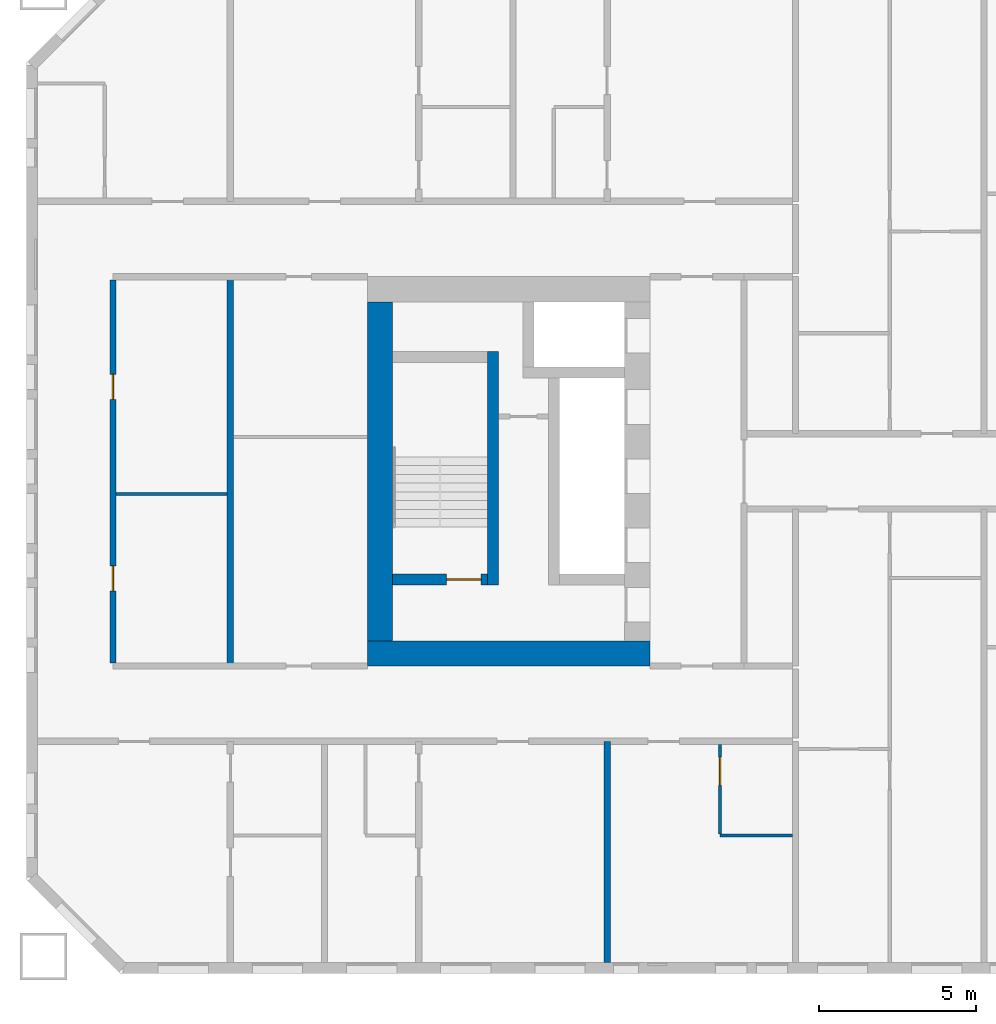
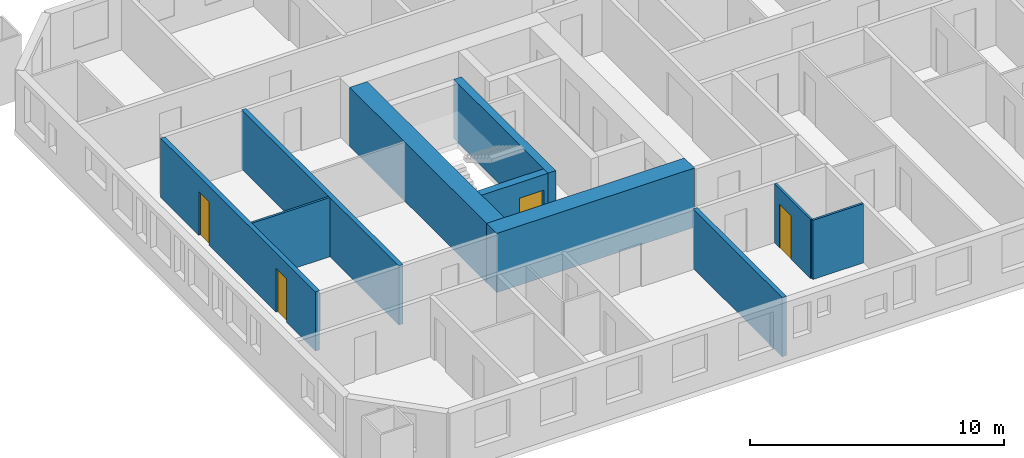
# One storey, part 3 of 19: 10 walls, 4 doors, 4 openings.
"""IFC4 building model written with IfcOpenShell, lengths in metres."""

from ifc_helpers import new_model, si_unit, direction, frame, frame_2d, origin, place, context, subcontext, project, spatial, rectangle, extrude, material, layer, layer_set, type_object, element, fill, save


model = new_model("IFC4")

# Units and contexts
model_context = context("Model", 3, precision=1e-05, world=origin(), true_north=direction((0.0, 1.0)))
body_context = subcontext(model_context, "Body", "Model", "MODEL_VIEW")
ifc_project = project(units=[si_unit("LENGTHUNIT", "METRE"), si_unit("AREAUNIT", "SQUARE_METRE"), si_unit("VOLUMEUNIT", "CUBIC_METRE"), si_unit("PLANEANGLEUNIT", "RADIAN"), si_unit("MASSUNIT", "GRAM", prefix="KILO")], contexts=[model_context])

# Site, building, storey
site_placement = place(None, origin())
site = spatial("IfcSite", under=ifc_project, at=site_placement, CompositionType="ELEMENT")
building_placement = place(site_placement, origin())
building = spatial("IfcBuilding", under=site, at=building_placement, Name="Tuart Gate Housing", CompositionType="ELEMENT")
storey_placement = place(building_placement, frame((0.0, 0.0, 56.699951171875)))
storey = spatial("IfcBuildingStorey", under=building, at=storey_placement, Name="L15", CompositionType="ELEMENT", Elevation=56.699951171875)

# Wall, opening, door
ifc_material_1 = material(Name="Concrete C60", Category="concrete")
ifc_layer_1 = layer(ifc_material_1, 0.35009765625)
ifc_layer_set_1 = layer_set([ifc_layer_1], Name="Core wall 350 C60")
wall_type_1 = type_object("IfcWallType", Name="Core wall 350 C60", PredefinedType="SHEAR", material=ifc_layer_set_1)
wall_1_placement = place(storey_placement, frame((36.18505859375, 66.550048828125, 0.0), z_axis=(0.0, 0.0, 1.0), x_axis=(-1.0, 0.0, 0.0)))
wall_1 = element("IfcWall", 1, at=wall_1_placement, inside=storey, type_object=wall_type_1, Name="Core wall AK.5", PredefinedType="SHEAR", context=body_context, shape_type="SweptSolid", body=[
    extrude(rectangle(XDim=3.025146484375, YDim=0.35009765625, at=frame_2d((1.5126953125, 0.0))), origin(), (0.0, 0.0, 1.0), 2.85009765625),
])
opening_1_placement = place(wall_1_placement, frame((0.195068359375, 0.0, 0.0)))
opening_1 = element("IfcOpeningElement", 2, at=opening_1_placement, cuts=wall_1, Name="Opening D753", PredefinedType="OPENING", context=body_context, shape_type="SweptSolid", body=[
    extrude(rectangle(XDim=1.10009765625, YDim=2.10009765625, at=frame_2d((0.550048828125, 1.050048828125))), frame((0.0, 0.18505859375, 0.0), z_axis=(0.0, -1.0, 0.0), x_axis=(1.0, 0.0, 0.0)), (0.0, 0.0, 1.0), 0.3701171875),
])
ifc_material_2 = material(Name="Steel fire door", Category="steel")
door_type_1 = type_object("IfcDoorType", Name="Stair door 1100 x 2100 RH", OperationType="SINGLE_SWING_RIGHT", PredefinedType="DOOR", material=ifc_material_2)
door_1_placement = place(opening_1_placement, frame((1.10009765625, 0.0, 0.0), z_axis=(0.0, 0.0, 1.0), x_axis=(-1.0, 0.0, 0.0)))
door_1 = element("IfcDoor", 3, at=door_1_placement, inside=storey, type_object=door_type_1, Name="Stair door AK.SD", OperationType="SINGLE_SWING_RIGHT", OverallHeight=2.10009765625, OverallWidth=1.10009765625, PredefinedType="DOOR", context=body_context, shape_type="SweptSolid", body=[
    extrude(rectangle(XDim=1.10009765625, YDim=2.10009765625, at=frame_2d((0.550048828125, 1.050048828125))), frame((0.0, 0.025146484375, 0.0), z_axis=(0.0, -1.0, 0.0), x_axis=(1.0, 0.0, 0.0)), (0.0, 0.0, 1.0), 0.050048828125),
])
fill(opening_1, door_1)

# Walls
wall_2_placement = place(storey_placement, frame((36.360107421875, 73.824951171875, 0.0), z_axis=(0.0, 0.0, 1.0), x_axis=(0.0, -1.0, 0.0)))
element("IfcWall", 4, at=wall_2_placement, inside=storey, type_object=wall_type_1, Name="Core wall AK.8", PredefinedType="SHEAR", context=body_context, shape_type="SweptSolid", body=[
    extrude(rectangle(XDim=7.449951171875, YDim=0.35009765625, at=frame_2d((3.72509765625, 0.0))), origin(), (0.0, 0.0, 1.0), 2.85009765625),
])
ifc_material_3 = material(Name="Concrete C60", Category="concrete")
ifc_layer_2 = layer(ifc_material_3, 0.800048828125)
ifc_layer_set_2 = layer_set([ifc_layer_2], Name="Core wall 800 C60")
wall_type_2 = type_object("IfcWallType", Name="Core wall 800 C60", PredefinedType="SHEAR", material=ifc_layer_set_2)
wall_3_placement = place(storey_placement, frame((32.760009765625, 75.39990234375, 0.0), z_axis=(0.0, 0.0, 1.0), x_axis=(0.0, -1.0, 0.0)))
element("IfcWall", 5, at=wall_3_placement, inside=storey, type_object=wall_type_2, Name="Core wall AK back", PredefinedType="SHEAR", context=body_context, shape_type="SweptSolid", body=[
    extrude(rectangle(XDim=10.7998046875, YDim=0.800048828125, at=frame_2d((5.39990234375, 0.0))), origin(), (0.0, 0.0, 1.0), 2.85009765625),
])
wall_4_placement = place(storey_placement, frame((41.360107421875, 64.199951171875, 0.0), z_axis=(0.0, 0.0, 1.0), x_axis=(-1.0, 0.0, 0.0)))
element("IfcWall", 6, at=wall_4_placement, inside=storey, type_object=wall_type_2, Name="Core wall AK north", PredefinedType="SHEAR", context=body_context, shape_type="SweptSolid", body=[
    extrude(rectangle(XDim=9.0, YDim=0.800048828125, at=frame_2d((4.5, 0.0))), origin(), (0.0, 0.0, 1.0), 2.85009765625),
])

# Wall, openings, doors
ifc_material_4 = material(Name="Concrete masonry 15 MPa", Category="masonry")
ifc_layer_3 = layer(ifc_material_4, 0.199951171875)
ifc_layer_set_3 = layer_set([ifc_layer_3], Name="Corridor wall masonry 200")
wall_type_3 = type_object("IfcWallType", Name="Corridor wall masonry 200", PredefinedType="PARTITIONING", material=ifc_layer_set_3)
wall_5_placement = place(storey_placement, frame((24.260009765625, 63.89990234375, 0.0), z_axis=(0.0, 0.0, 1.0), x_axis=(0.0, 1.0, 0.0)))
wall_5 = element("IfcWall", 7, at=wall_5_placement, inside=storey, type_object=wall_type_3, Name="Corridor wall masonry 200", PredefinedType="PARTITIONING", context=body_context, shape_type="SweptSolid", body=[
    extrude(rectangle(XDim=12.2001953125, YDim=0.199951171875, at=frame_2d((6.10009765625, 0.0))), origin(), (0.0, 0.0, 1.0), 2.85009765625),
])
opening_2_placement = place(wall_5_placement, frame((2.2900390625, 0.0, 0.0)))
opening_2 = element("IfcOpeningElement", 8, at=opening_2_placement, cuts=wall_5, Name="Opening D742", PredefinedType="OPENING", context=body_context, shape_type="SweptSolid", body=[
    extrude(rectangle(XDim=0.800048828125, YDim=2.10009765625, at=frame_2d((0.39990234375, 1.050048828125))), frame((0.0, 0.10986328125, 0.0), z_axis=(0.0, -1.0, 0.0), x_axis=(1.0, 0.0, 0.0)), (0.0, 0.0, 1.0), 0.219970703125),
])
opening_3_placement = place(wall_5_placement, frame((8.389892578125, 0.0, 0.0)))
opening_3 = element("IfcOpeningElement", 9, at=opening_3_placement, cuts=wall_5, Name="Opening D743", PredefinedType="OPENING", context=body_context, shape_type="SweptSolid", body=[
    extrude(rectangle(XDim=0.800048828125, YDim=2.10009765625, at=frame_2d((0.39990234375, 1.050048828125))), frame((0.0, 0.10986328125, 0.0), z_axis=(0.0, -1.0, 0.0), x_axis=(1.0, 0.0, 0.0)), (0.0, 0.0, 1.0), 0.219970703125),
])
ifc_material_5 = material(Name="Timber door leaf in steel frame", Category="steel")
door_type_2 = type_object("IfcDoorType", Name="Store door 800", OperationType="SINGLE_SWING_LEFT", PredefinedType="DOOR", material=ifc_material_5)
door_2_placement = place(opening_2_placement, frame((0.800048828125, 0.0, 0.0), z_axis=(0.0, 0.0, 1.0), x_axis=(-1.0, 0.0, 0.0)))
door_2 = element("IfcDoor", 10, at=door_2_placement, inside=storey, type_object=door_type_2, Name="Store door", OperationType="SINGLE_SWING_LEFT", OverallHeight=2.10009765625, OverallWidth=0.800048828125, PredefinedType="DOOR", context=body_context, shape_type="SweptSolid", body=[
    extrude(rectangle(XDim=0.800048828125, YDim=2.10009765625, at=frame_2d((0.400146484375, 1.050048828125))), frame((0.0, 0.025146484375, 0.0), z_axis=(0.0, -1.0, 0.0), x_axis=(1.0, 0.0, 0.0)), (0.0, 0.0, 1.0), 0.050048828125),
])
fill(opening_2, door_2)
ifc_material_6 = material(Name="Timber door leaf in steel frame", Category="steel")
door_type_3 = type_object("IfcDoorType", Name="Store door 800 RH", OperationType="SINGLE_SWING_RIGHT", PredefinedType="DOOR", material=ifc_material_6)
door_3_placement = place(opening_3_placement, frame((0.800048828125, 0.0, 0.0), z_axis=(0.0, 0.0, 1.0), x_axis=(-1.0, 0.0, 0.0)))
door_3 = element("IfcDoor", 11, at=door_3_placement, inside=storey, type_object=door_type_3, Name="Store door", OperationType="SINGLE_SWING_RIGHT", OverallHeight=2.10009765625, OverallWidth=0.800048828125, PredefinedType="DOOR", context=body_context, shape_type="SweptSolid", body=[
    extrude(rectangle(XDim=0.800048828125, YDim=2.10009765625, at=frame_2d((0.400146484375, 1.050048828125))), frame((0.0, 0.025146484375, 0.0), z_axis=(0.0, -1.0, 0.0), x_axis=(1.0, 0.0, 0.0)), (0.0, 0.0, 1.0), 0.050048828125),
])
fill(opening_3, door_3)

# Walls
ifc_material_7 = material(Name="Gypsum board on steel studs", Category="steel")
ifc_layer_4 = layer(ifc_material_7, 0.10009765625)
ifc_layer_set_4 = layer_set([ifc_layer_4], Name="Partition 100")
wall_type_4 = type_object("IfcWallType", Name="Partition 100", PredefinedType="PARTITIONING", material=ifc_layer_set_4)
wall_6_placement = place(storey_placement, frame((43.60009765625, 58.39990234375, 0.0), z_axis=(0.0, 0.0, 1.0), x_axis=(1.0, 0.0, 0.0)))
element("IfcWall", 12, at=wall_6_placement, inside=storey, type_object=wall_type_4, Name="Partition 100", PredefinedType="PARTITIONING", context=body_context, shape_type="SweptSolid", body=[
    extrude(rectangle(XDim=2.2998046875, YDim=0.10009765625, at=frame_2d((1.14990234375, 0.0))), origin(), (0.0, 0.0, 1.0), 2.85009765625),
])
wall_7_placement = place(storey_placement, frame((24.360107421875, 69.280029296875, 0.0), z_axis=(0.0, 0.0, 1.0), x_axis=(1.0, 0.0, 0.0)))
element("IfcWall", 13, at=wall_7_placement, inside=storey, type_object=wall_type_4, Name="Partition 100", PredefinedType="PARTITIONING", context=body_context, shape_type="SweptSolid", body=[
    extrude(rectangle(XDim=3.539794921875, YDim=0.10009765625, at=frame_2d((1.77001953125, 0.0))), origin(), (0.0, 0.0, 1.0), 2.85009765625),
])

# Wall, opening, door
wall_8_placement = place(storey_placement, frame((43.60009765625, 58.449951171875, 0.0), z_axis=(0.0, 0.0, 1.0), x_axis=(0.0, 1.0, 0.0)))
wall_8 = element("IfcWall", 14, at=wall_8_placement, inside=storey, type_object=wall_type_4, Name="Partition 100", PredefinedType="PARTITIONING", context=body_context, shape_type="SweptSolid", body=[
    extrude(rectangle(XDim=2.85009765625, YDim=0.10009765625, at=frame_2d((1.425048828125, 0.0))), origin(), (0.0, 0.0, 1.0), 2.85009765625),
])
opening_4_placement = place(wall_8_placement, frame((1.550048828125, 0.0, 0.0)))
opening_4 = element("IfcOpeningElement", 15, at=opening_4_placement, cuts=wall_8, Name="Opening D771", PredefinedType="OPENING", context=body_context, shape_type="SweptSolid", body=[
    extrude(rectangle(XDim=0.89990234375, YDim=2.10009765625, at=frame_2d((0.449951171875, 1.050048828125))), frame((0.0, 0.06005859375, 0.0), z_axis=(0.0, -1.0, 0.0), x_axis=(1.0, 0.0, 0.0)), (0.0, 0.0, 1.0), 0.1201171875),
])
ifc_material_8 = material(Name="Timber door leaf in steel frame", Category="steel")
door_type_4 = type_object("IfcDoorType", Name="Bathroom door 900", OperationType="SINGLE_SWING_LEFT", PredefinedType="DOOR", material=ifc_material_8)
door_4_placement = place(opening_4_placement, frame((0.89990234375, 0.0, 0.0), z_axis=(0.0, 0.0, 1.0), x_axis=(-1.0, 0.0, 0.0)))
door_4 = element("IfcDoor", 16, at=door_4_placement, inside=storey, type_object=door_type_4, Name="Bathroom door", OperationType="SINGLE_SWING_LEFT", OverallHeight=2.10009765625, OverallWidth=0.89990234375, PredefinedType="DOOR", context=body_context, shape_type="SweptSolid", body=[
    extrude(rectangle(XDim=0.89990234375, YDim=2.10009765625, at=frame_2d((0.449951171875, 1.050048828125))), frame((0.0, 0.025146484375, 0.0), z_axis=(0.0, -1.0, 0.0), x_axis=(1.0, 0.0, 0.0)), (0.0, 0.0, 1.0), 0.050048828125),
])
fill(opening_4, door_4)

# Walls
ifc_material_9 = material(Name="Concrete C40", Category="concrete")
ifc_layer_5 = layer(ifc_material_9, 0.199951171875)
ifc_layer_set_5 = layer_set([ifc_layer_5], Name="Party wall concrete C40 200")
wall_type_5 = type_object("IfcWallType", Name="Party wall concrete C40 200", PredefinedType="SOLIDWALL", material=ifc_layer_set_5)
wall_9_placement = place(storey_placement, frame((28.0, 63.800048828125, 0.0), z_axis=(0.0, 0.0, 1.0), x_axis=(0.0, 1.0, 0.0)))
element("IfcWall", 17, at=wall_9_placement, inside=storey, type_object=wall_type_5, Name="Party wall concrete C40 200", PredefinedType="SOLIDWALL", context=body_context, shape_type="SweptSolid", body=[
    extrude(rectangle(XDim=12.39990234375, YDim=0.199951171875, at=frame_2d((6.199951171875, 0.0))), origin(), (0.0, 0.0, 1.0), 2.85009765625),
])
wall_10_placement = place(storey_placement, frame((40.0, 54.360107421875, 0.0), z_axis=(0.0, 0.0, 1.0), x_axis=(0.0, 1.0, 0.0)))
element("IfcWall", 18, at=wall_10_placement, inside=storey, type_object=wall_type_5, Name="Party wall concrete C40 200", PredefinedType="SOLIDWALL", context=body_context, shape_type="SweptSolid", body=[
    extrude(rectangle(XDim=7.039794921875, YDim=0.199951171875, at=frame_2d((3.52001953125, 0.0))), origin(), (0.0, 0.0, 1.0), 2.85009765625),
])

save(model, "model.ifc")
